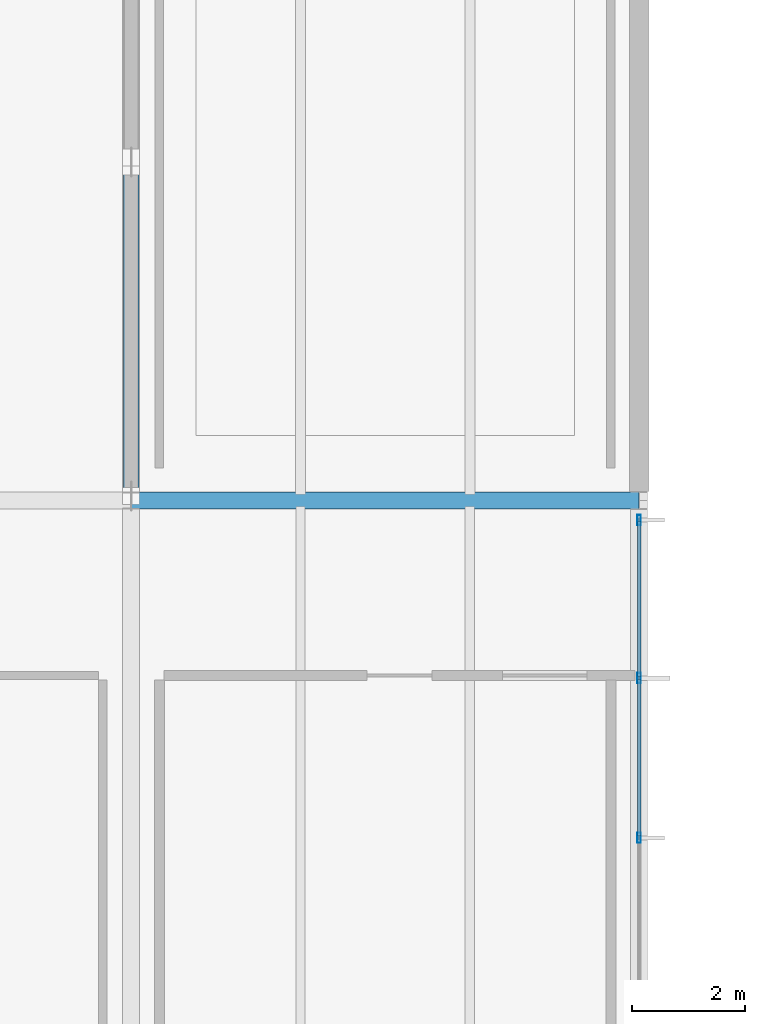
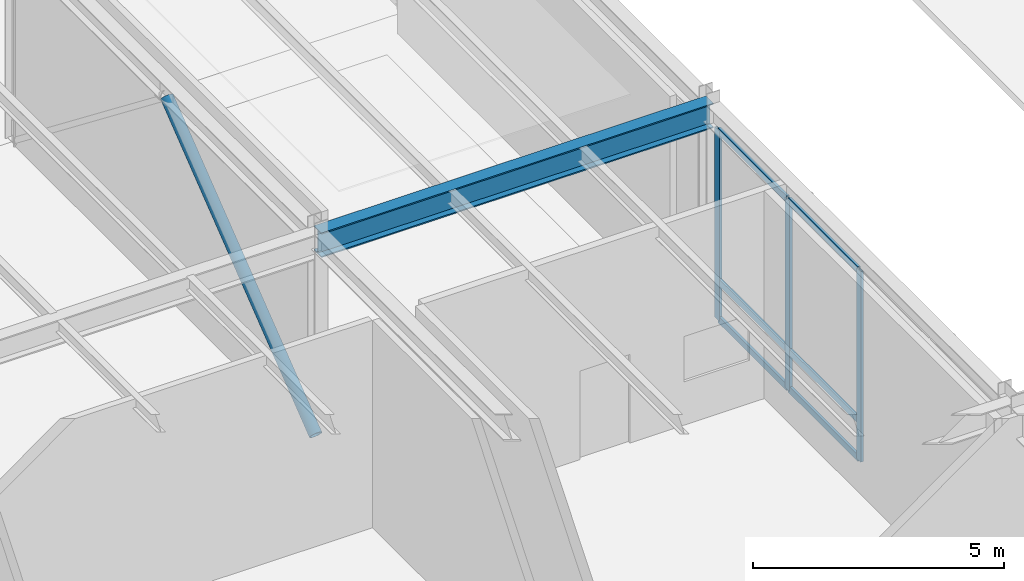
# One storey, part 52 of 143: 10 members, 1 beam, 1 element without a shape of its own.
"""IFC4 building model written with IfcOpenShell, lengths in metres."""

from ifc_helpers import new_model, si_unit, direction, frame, origin, origin_2d, place, context, subcontext, project, spatial, hollow_rectangle, hollow_circle, i_section, extrude, material, layer, layer_set, material_profile, profile_set, type_object, element, aggregate, save


model = new_model("IFC4")

# Units and contexts
model_context = context("Model", 3, precision=1e-05, world=origin(), true_north=direction((0.0, 1.0)))
body_context = subcontext(model_context, "Body", "Model", "MODEL_VIEW")
ifc_project = project(units=[si_unit("LENGTHUNIT", "METRE"), si_unit("AREAUNIT", "SQUARE_METRE"), si_unit("VOLUMEUNIT", "CUBIC_METRE"), si_unit("PLANEANGLEUNIT", "RADIAN"), si_unit("MASSUNIT", "GRAM", prefix="KILO")], contexts=[model_context])

# Site, building, storey
site_placement = place(None, origin())
site = spatial("IfcSite", under=ifc_project, at=site_placement, CompositionType="ELEMENT")
building_placement = place(site_placement, origin())
building = spatial("IfcBuilding", under=site, at=building_placement, Name="Montelvaro Courts of Justice", CompositionType="ELEMENT")
storey_placement = place(building_placement, origin())
storey = spatial("IfcBuildingStorey", under=building, at=storey_placement, Name="L00", CompositionType="ELEMENT", Elevation=0.0)

# Beam
ifc_material_1 = material(Name="Steel S355", Category="steel")
ifc_material_profile_1 = material_profile(ifc_material_1, i_section(OverallWidth=0.300048828125, OverallDepth=0.60009765625, WebThickness=0.015380859375, FlangeThickness=0.030029296875, at=origin_2d()), Name="HEB 600")
ifc_profile_set_1 = profile_set([ifc_material_profile_1], Name="Steel S355")
beam_type = type_object("IfcBeamType", Name="Beam_HEB600", PredefinedType="USERDEFINED", material=ifc_profile_set_1)
beam_placement = place(storey_placement, frame((117.0, 54.0, 4.820068359375), z_axis=(1.0, 0.0, 0.0), x_axis=(0.0, 1.0, 0.0)))
element("IfcBeam", 1, at=beam_placement, inside=storey, type_object=beam_type, Name="Beam B-26 L00", ObjectType="GIRDER", PredefinedType="USERDEFINED", context=body_context, shape_type="SweptSolid", body=[
    extrude(i_section(OverallWidth=0.300048828125, OverallDepth=0.60009765625, WebThickness=0.015380859375, FlangeThickness=0.030029296875, at=origin_2d()), origin(), (0.0, 0.0, 1.0), 9.0),
])

# Curtain wall, members
ifc_material_2 = material(Name="Anodised aluminium EN AW-6063", Category="aluminium")
ifc_layer = layer(ifc_material_2, 0.159912109375)
ifc_layer_set = layer_set([ifc_layer], Name="Anodised aluminium EN AW-6063")
curtain_wall_type = type_object("IfcCurtainWallType", Name="CurtainWall_03_1132x508", PredefinedType="USERDEFINED", material=ifc_layer_set)
curtain_wall_placement = place(storey_placement, origin())
curtain_wall = element("IfcCurtainWall", 2, at=curtain_wall_placement, inside=storey, type_object=curtain_wall_type, Name="Curtain Wall CW-03 (L00)", ObjectType="CURTAIN WALL", PredefinedType="USERDEFINED")
ifc_material_profile_2 = material_profile(ifc_material_2, hollow_rectangle(XDim=0.06005859375, YDim=0.179931640625, WallThickness=0.00439453125, at=origin_2d()), Name="ALU-M 60x180")
ifc_profile_set_2 = profile_set([ifc_material_profile_2], Name="Anodised aluminium EN AW-6063")
member_type_1 = type_object("IfcMemberType", Name="CurtainWall_Mullion_60x180", PredefinedType="MULLION", material=ifc_profile_set_2)
member_1_placement = place(storey_placement, frame((126.0, 48.02490234375, 0.0), z_axis=(0.0, 0.0, 1.0), x_axis=(-1.0, 0.0, 0.0)))
member_1 = element("IfcMember", 3, at=member_1_placement, type_object=member_type_1, Name="CW-03 mullion 3", PredefinedType="MULLION", context=body_context, shape_type="SweptSolid", body=[
    extrude(hollow_rectangle(XDim=0.06005859375, YDim=0.179931640625, WallThickness=0.00439453125, at=origin_2d()), origin(), (0.0, 0.0, 1.0), 4.625),
])
member_2_placement = place(storey_placement, frame((126.0, 50.85498046875, 0.0), z_axis=(0.0, 0.0, 1.0), x_axis=(-1.0, 0.0, 0.0)))
member_2 = element("IfcMember", 4, at=member_2_placement, type_object=member_type_1, Name="CW-03 mullion 4", PredefinedType="MULLION", context=body_context, shape_type="SweptSolid", body=[
    extrude(hollow_rectangle(XDim=0.06005859375, YDim=0.179931640625, WallThickness=0.00439453125, at=origin_2d()), origin(), (0.0, 0.0, 1.0), 4.625),
])
member_3_placement = place(storey_placement, frame((126.0, 53.655029296875, 0.0), z_axis=(0.0, 0.0, 1.0), x_axis=(-1.0, 0.0, 0.0)))
member_3 = element("IfcMember", 5, at=member_3_placement, type_object=member_type_1, Name="CW-03 mullion 5", PredefinedType="MULLION", context=body_context, shape_type="SweptSolid", body=[
    extrude(hollow_rectangle(XDim=0.06005859375, YDim=0.179931640625, WallThickness=0.00439453125, at=origin_2d()), origin(), (0.0, 0.0, 1.0), 4.625),
])
ifc_material_profile_3 = material_profile(ifc_material_2, hollow_rectangle(XDim=0.06005859375, YDim=0.159912109375, WallThickness=0.00439453125, at=origin_2d()), Name="ALU-T 60x160")
ifc_profile_set_3 = profile_set([ifc_material_profile_3], Name="Anodised aluminium EN AW-6063")
member_type_2 = type_object("IfcMemberType", Name="CurtainWall_Transom_60x160", PredefinedType="USERDEFINED", material=ifc_profile_set_3)
member_4_placement = place(storey_placement, frame((126.0, 48.054931640625, 0.030029296875), z_axis=(0.0, 1.0, 0.0), x_axis=(-1.0, 0.0, 0.0)))
member_4 = element("IfcMember", 6, at=member_4_placement, type_object=member_type_2, Name="CW-03 transom 3.1", ObjectType="TRANSOM", PredefinedType="USERDEFINED", context=body_context, shape_type="SweptSolid", body=[
    extrude(hollow_rectangle(XDim=0.06005859375, YDim=0.159912109375, WallThickness=0.00439453125, at=origin_2d()), origin(), (0.0, 0.0, 1.0), 2.77001953125),
])
member_5_placement = place(storey_placement, frame((126.0, 48.054931640625, 0.949951171875), z_axis=(0.0, 1.0, 0.0), x_axis=(-1.0, 0.0, 0.0)))
member_5 = element("IfcMember", 7, at=member_5_placement, type_object=member_type_2, Name="CW-03 transom 3.2", ObjectType="TRANSOM", PredefinedType="USERDEFINED", context=body_context, shape_type="SweptSolid", body=[
    extrude(hollow_rectangle(XDim=0.06005859375, YDim=0.159912109375, WallThickness=0.00439453125, at=origin_2d()), origin(), (0.0, 0.0, 1.0), 2.77001953125),
])
member_6_placement = place(storey_placement, frame((126.0, 48.054931640625, 4.594970703125), z_axis=(0.0, 1.0, 0.0), x_axis=(-1.0, 0.0, 0.0)))
member_6 = element("IfcMember", 8, at=member_6_placement, type_object=member_type_2, Name="CW-03 transom 3.3", ObjectType="TRANSOM", PredefinedType="USERDEFINED", context=body_context, shape_type="SweptSolid", body=[
    extrude(hollow_rectangle(XDim=0.06005859375, YDim=0.159912109375, WallThickness=0.00439453125, at=origin_2d()), origin(), (0.0, 0.0, 1.0), 2.77001953125),
])
member_7_placement = place(storey_placement, frame((126.0, 50.885009765625, 0.030029296875), z_axis=(0.0, 1.0, 0.0), x_axis=(-1.0, 0.0, 0.0)))
member_7 = element("IfcMember", 9, at=member_7_placement, type_object=member_type_2, Name="CW-03 transom 4.1", ObjectType="TRANSOM", PredefinedType="USERDEFINED", context=body_context, shape_type="SweptSolid", body=[
    extrude(hollow_rectangle(XDim=0.06005859375, YDim=0.159912109375, WallThickness=0.00439453125, at=origin_2d()), origin(), (0.0, 0.0, 1.0), 2.739990234375),
])
member_8_placement = place(storey_placement, frame((126.0, 50.885009765625, 0.949951171875), z_axis=(0.0, 1.0, 0.0), x_axis=(-1.0, 0.0, 0.0)))
member_8 = element("IfcMember", 10, at=member_8_placement, type_object=member_type_2, Name="CW-03 transom 4.2", ObjectType="TRANSOM", PredefinedType="USERDEFINED", context=body_context, shape_type="SweptSolid", body=[
    extrude(hollow_rectangle(XDim=0.06005859375, YDim=0.159912109375, WallThickness=0.00439453125, at=origin_2d()), origin(), (0.0, 0.0, 1.0), 2.739990234375),
])
member_9_placement = place(storey_placement, frame((126.0, 50.885009765625, 4.594970703125), z_axis=(0.0, 1.0, 0.0), x_axis=(-1.0, 0.0, 0.0)))
member_9 = element("IfcMember", 11, at=member_9_placement, type_object=member_type_2, Name="CW-03 transom 4.3", ObjectType="TRANSOM", PredefinedType="USERDEFINED", context=body_context, shape_type="SweptSolid", body=[
    extrude(hollow_rectangle(XDim=0.06005859375, YDim=0.159912109375, WallThickness=0.00439453125, at=origin_2d()), origin(), (0.0, 0.0, 1.0), 2.739990234375),
])
aggregate(curtain_wall, [member_1, member_2, member_3, member_4, member_5, member_6, member_7, member_8, member_9])

# Member
ifc_material_profile_4 = material_profile(ifc_material_1, hollow_circle(Radius=0.136474609375, WallThickness=0.012451171875, at=origin_2d()), Name="CHS 273x12.5")
ifc_profile_set_4 = profile_set([ifc_material_profile_4], Name="Steel S355")
member_type_3 = type_object("IfcMemberType", Name="Mem_CHS273_Brace", PredefinedType="BRACE", material=ifc_profile_set_4)
member_10_placement = place(storey_placement, frame((117.0, 54.080078125, 0.080078125), z_axis=(0.0, 0.788351551389, 0.61522502503), x_axis=(-1.0, 0.0, 0.0)))
element("IfcMember", 12, at=member_10_placement, inside=storey, type_object=member_type_3, Name="Lateral Braced Frame CBF4 Diagonal 1 (L00)", PredefinedType="BRACE", context=body_context, shape_type="SweptSolid", body=[
    extrude(hollow_circle(Radius=0.136474609375, WallThickness=0.012451171875, at=origin_2d()), origin(), (0.0, 0.0, 1.0), 7.50927734375),
])

save(model, "model.ifc")
